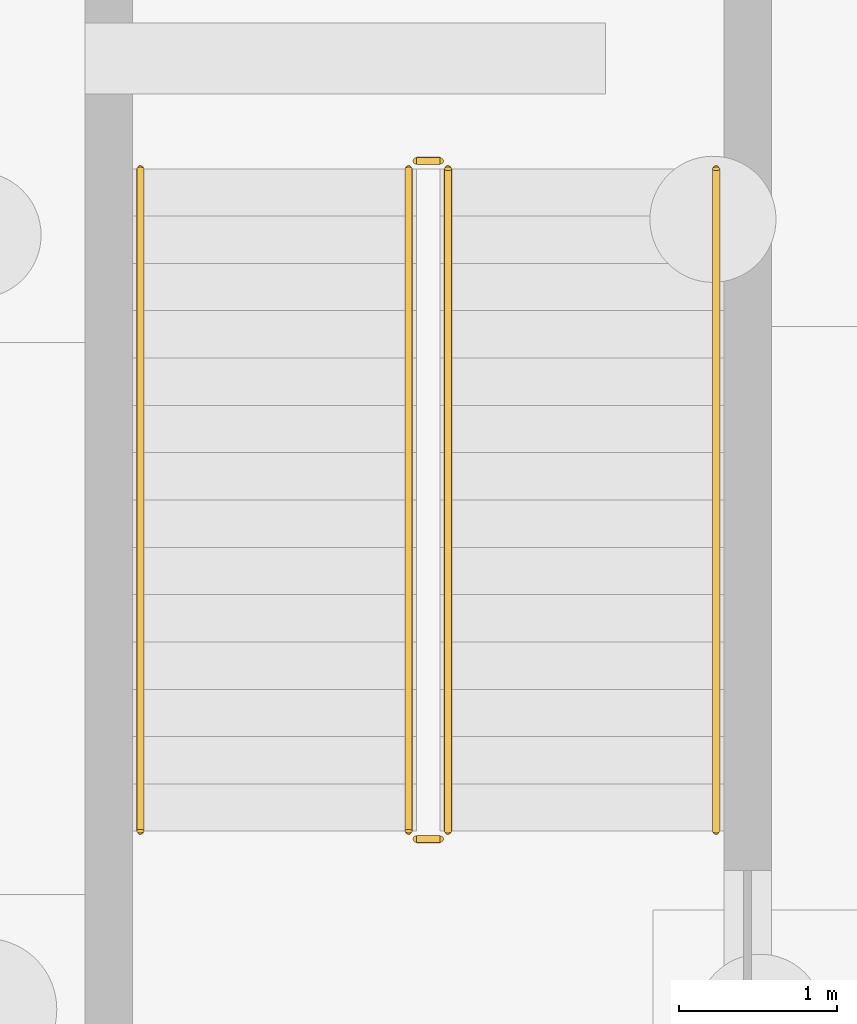
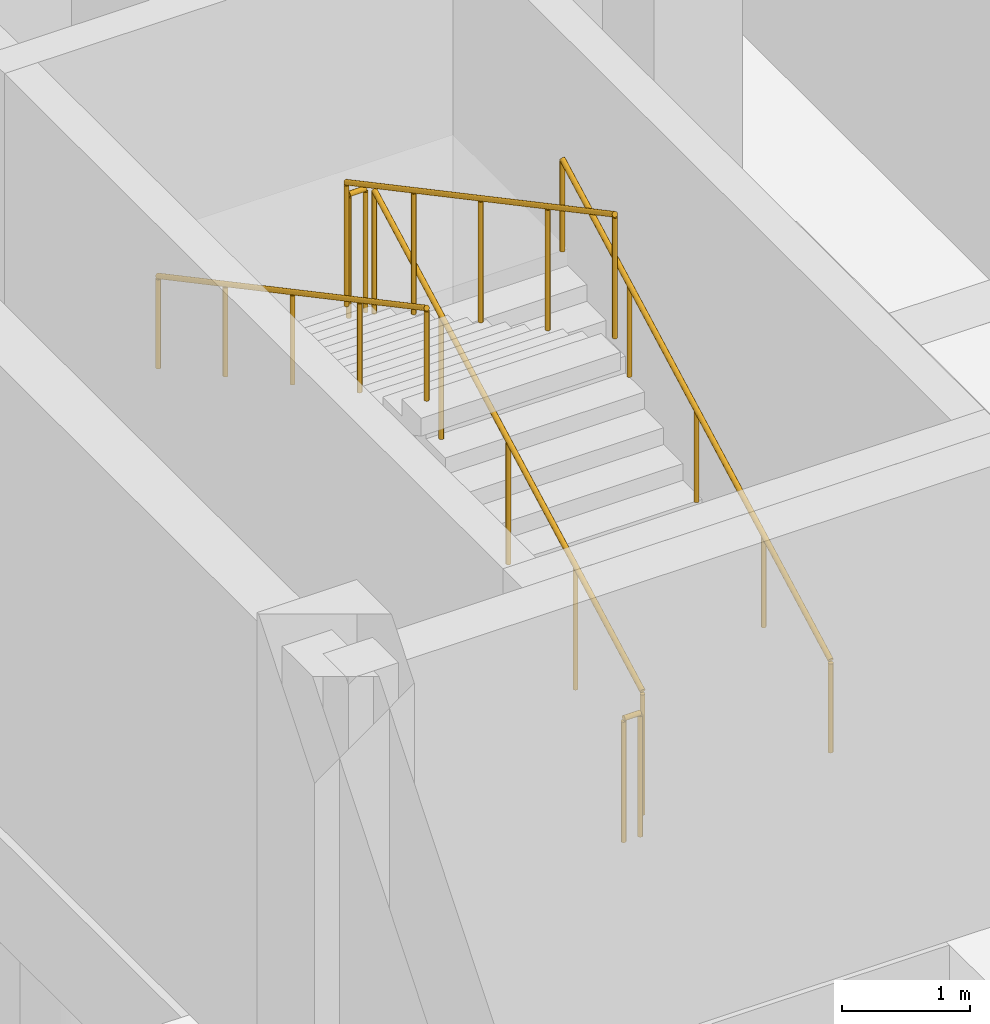
# One storey, part 32 of 38: 6 railings.
"""IFC4 building model written with IfcOpenShell, lengths in metres."""

from ifc_helpers import new_model, si_unit, direction, frame, origin, origin_2d, place, context, subcontext, project, spatial, circle, extrude, material, type_object, element, save


model = new_model("IFC4")

# Units and contexts
model_context = context("Model", 3, precision=1e-05, world=origin(), true_north=direction((0.0, 1.0)))
body_context = subcontext(model_context, "Body", "Model", "MODEL_VIEW")
ifc_project = project(units=[si_unit("LENGTHUNIT", "METRE"), si_unit("AREAUNIT", "SQUARE_METRE"), si_unit("VOLUMEUNIT", "CUBIC_METRE"), si_unit("PLANEANGLEUNIT", "RADIAN"), si_unit("MASSUNIT", "GRAM", prefix="KILO")], contexts=[model_context])

# Site, building, storey
site_placement = place(None, origin())
site = spatial("IfcSite", under=ifc_project, at=site_placement, CompositionType="ELEMENT")
building_placement = place(site_placement, origin())
building = spatial("IfcBuilding", under=site, at=building_placement, Name="Valkovuoma Quantum and Materials Research Institute", CompositionType="ELEMENT")
storey_placement = place(building_placement, frame((0.0, 0.0, -4.800048828125)))
storey = spatial("IfcBuildingStorey", under=building, at=storey_placement, Name="B1", CompositionType="ELEMENT", Elevation=-4.800048828125)

# Railings
ifc_material_1 = material(Name="Painted steel stair balustrade", Category="steel")
railing_type_1 = type_object("IfcRailingType", Name="Rail-GRD-ST", PredefinedType="BALUSTRADE", material=ifc_material_1)
railing_1_placement = place(storey_placement, frame((4.10009765625, 31.10009765625, 0.16015625)))
element("IfcRailing", 1, at=railing_1_placement, inside=storey, type_object=railing_type_1, Name="B1 ST-1 stair guard 1", PredefinedType="BALUSTRADE", context=body_context, shape_type="SweptSolid", body=[
    extrude(circle(Radius=0.02392578125, at=origin_2d()), frame((0.0, 0.0, 1.17578125), z_axis=(0.0, 0.882351521365, 0.470590897432), x_axis=(-1.0, 0.0, 0.0)), (0.0, 0.0, 1.0), 4.760009765625),
    extrude(circle(Radius=0.02099609375, at=origin_2d()), origin(), (0.0, 0.0, 1.0), 1.15185546875),
    extrude(circle(Radius=0.02099609375, at=origin_2d()), frame((0.0, 1.050048828125, 0.56005859375)), (0.0, 0.0, 1.0), 1.15185546875),
    extrude(circle(Radius=0.02099609375, at=origin_2d()), frame((0.0, 2.10009765625, 1.1201171875)), (0.0, 0.0, 1.0), 1.15185546875),
    extrude(circle(Radius=0.02099609375, at=origin_2d()), frame((0.0, 3.14990234375, 1.679931640625)), (0.0, 0.0, 1.0), 1.15185546875),
    extrude(circle(Radius=0.02099609375, at=origin_2d()), frame((0.0, 4.199951171875, 2.239990234375)), (0.0, 0.0, 1.0), 1.15185546875),
])
railing_2_placement = place(storey_placement, frame((4.050048828125, 35.35009765625, 2.400146484375)))
element("IfcRailing", 2, at=railing_2_placement, inside=storey, type_object=railing_type_1, Name="B1 ST-1 stair guard 2", PredefinedType="BALUSTRADE", context=body_context, shape_type="SweptSolid", body=[
    extrude(circle(Radius=0.02392578125, at=origin_2d()), frame((0.0, 0.0, 1.17578125), z_axis=(-1.0, 0.0, 0.0), x_axis=(0.0, -1.0, 0.0)), (0.0, 0.0, 1.0), 0.150146484375),
    extrude(circle(Radius=0.02099609375, at=origin_2d()), origin(), (0.0, 0.0, 1.0), 1.15185546875),
    extrude(circle(Radius=0.02099609375, at=origin_2d()), frame((-0.150146484375, 0.0, 0.0)), (0.0, 0.0, 1.0), 1.15185546875),
])
railing_3_placement = place(storey_placement, frame((3.85009765625, 35.300048828125, 2.56005859375)))
element("IfcRailing", 3, at=railing_3_placement, inside=storey, type_object=railing_type_1, Name="B1 ST-1 stair guard 3", PredefinedType="BALUSTRADE", context=body_context, shape_type="SweptSolid", body=[
    extrude(circle(Radius=0.02392578125, at=origin_2d()), frame((0.0, 0.0, 1.17578125), z_axis=(0.0, -0.882351521365, 0.470590897432), x_axis=(1.0, 0.0, 0.0)), (0.0, 0.0, 1.0), 4.760009765625),
    extrude(circle(Radius=0.02099609375, at=origin_2d()), origin(), (0.0, 0.0, 1.0), 1.15185546875),
    extrude(circle(Radius=0.02099609375, at=origin_2d()), frame((0.0, -1.050048828125, 0.56005859375)), (0.0, 0.0, 1.0), 1.15185546875),
    extrude(circle(Radius=0.02099609375, at=origin_2d()), frame((0.0, -2.10009765625, 1.1201171875)), (0.0, 0.0, 1.0), 1.15185546875),
    extrude(circle(Radius=0.02099609375, at=origin_2d()), frame((0.0, -3.14990234375, 1.679931640625)), (0.0, 0.0, 1.0), 1.15185546875),
    extrude(circle(Radius=0.02099609375, at=origin_2d()), frame((0.0, -4.199951171875, 2.239990234375)), (0.0, 0.0, 1.0), 1.15185546875),
])
railing_4_placement = place(storey_placement, frame((4.050048828125, 31.050048828125, 0.0)))
element("IfcRailing", 4, at=railing_4_placement, inside=storey, type_object=railing_type_1, Name="B1 ST-1 stair guard 4", PredefinedType="BALUSTRADE", context=body_context, shape_type="SweptSolid", body=[
    extrude(circle(Radius=0.02392578125, at=origin_2d()), frame((0.0, 0.0, 1.17578125), z_axis=(-1.0, 0.0, 0.0), x_axis=(0.0, -1.0, 0.0)), (0.0, 0.0, 1.0), 0.150146484375),
    extrude(circle(Radius=0.02099609375, at=origin_2d()), origin(), (0.0, 0.0, 1.0), 1.15185546875),
    extrude(circle(Radius=0.02099609375, at=origin_2d()), frame((-0.150146484375, 0.0, 0.0)), (0.0, 0.0, 1.0), 1.15185546875),
])
ifc_material_2 = material(Name="Brushed stainless steel handrail", Category="steel")
railing_type_2 = type_object("IfcRailingType", Name="Rail-HR-ST", PredefinedType="HANDRAIL", material=ifc_material_2)
railing_5_placement = place(storey_placement, frame((5.800048828125, 31.10009765625, 0.16015625)))
element("IfcRailing", 5, at=railing_5_placement, inside=storey, type_object=railing_type_2, Name="B1 ST-1 stair handrail 1", PredefinedType="HANDRAIL", context=body_context, shape_type="SweptSolid", body=[
    extrude(circle(Radius=0.02392578125, at=origin_2d()), frame((0.0, 0.0, 0.8759765625), z_axis=(0.0, 0.882351521365, 0.470590897432), x_axis=(-1.0, 0.0, 0.0)), (0.0, 0.0, 1.0), 4.760009765625),
    extrude(circle(Radius=0.02099609375, at=origin_2d()), origin(), (0.0, 0.0, 1.0), 0.851806640625),
    extrude(circle(Radius=0.02099609375, at=origin_2d()), frame((0.0, 1.050048828125, 0.56005859375)), (0.0, 0.0, 1.0), 0.851806640625),
    extrude(circle(Radius=0.02099609375, at=origin_2d()), frame((0.0, 2.10009765625, 1.1201171875)), (0.0, 0.0, 1.0), 0.851806640625),
    extrude(circle(Radius=0.02099609375, at=origin_2d()), frame((0.0, 3.14990234375, 1.679931640625)), (0.0, 0.0, 1.0), 0.851806640625),
    extrude(circle(Radius=0.02099609375, at=origin_2d()), frame((0.0, 4.199951171875, 2.239990234375)), (0.0, 0.0, 1.0), 0.851806640625),
])
railing_6_placement = place(storey_placement, frame((2.14990234375, 35.300048828125, 2.56005859375)))
element("IfcRailing", 6, at=railing_6_placement, inside=storey, type_object=railing_type_2, Name="B1 ST-1 stair handrail 2", PredefinedType="HANDRAIL", context=body_context, shape_type="SweptSolid", body=[
    extrude(circle(Radius=0.02392578125, at=origin_2d()), frame((0.0, 0.0, 0.8759765625), z_axis=(0.0, -0.882351521365, 0.470590897432), x_axis=(1.0, 0.0, 0.0)), (0.0, 0.0, 1.0), 4.760009765625),
    extrude(circle(Radius=0.02099609375, at=origin_2d()), origin(), (0.0, 0.0, 1.0), 0.851806640625),
    extrude(circle(Radius=0.02099609375, at=origin_2d()), frame((0.0, -1.050048828125, 0.56005859375)), (0.0, 0.0, 1.0), 0.851806640625),
    extrude(circle(Radius=0.02099609375, at=origin_2d()), frame((0.0, -2.10009765625, 1.1201171875)), (0.0, 0.0, 1.0), 0.851806640625),
    extrude(circle(Radius=0.02099609375, at=origin_2d()), frame((0.0, -3.14990234375, 1.679931640625)), (0.0, 0.0, 1.0), 0.851806640625),
    extrude(circle(Radius=0.02099609375, at=origin_2d()), frame((0.0, -4.199951171875, 2.239990234375)), (0.0, 0.0, 1.0), 0.851806640625),
])

save(model, "model.ifc")
